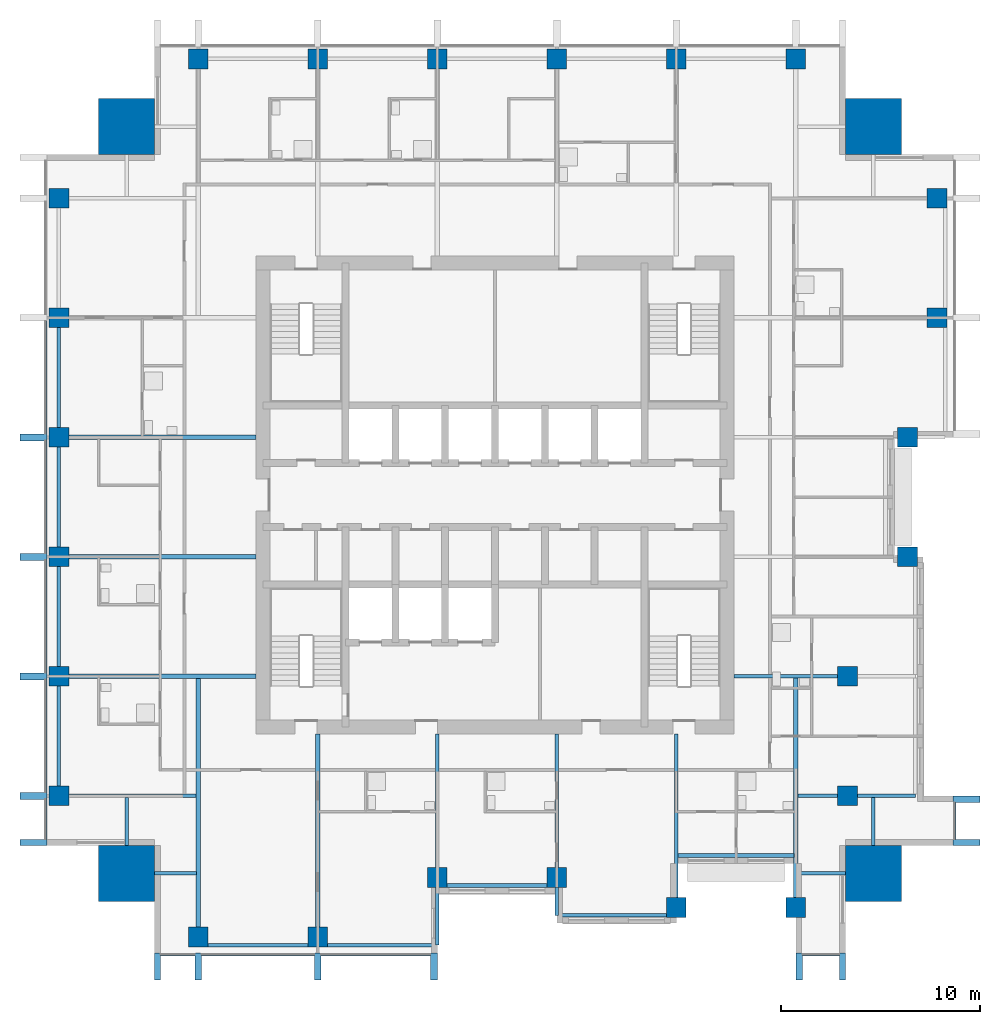
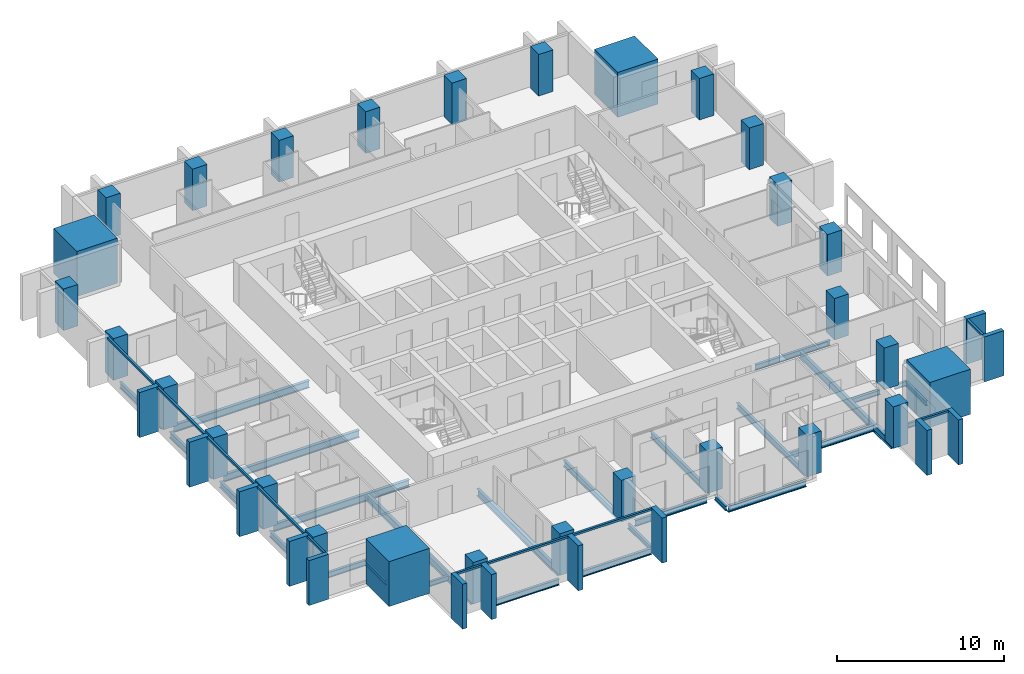
# One storey, part 1 of 11: 28 beams, 28 columns, 23 members, 4 elements without a shape of their own.
"""IFC4 building model written with IfcOpenShell, lengths in metres."""

from ifc_helpers import new_model, si_unit, direction, frame, origin, origin_2d, place, context, subcontext, project, spatial, rectangle, i_section, extrude, material, material_profile, profile_set, type_object, element, aggregate, save


model = new_model("IFC4")

# Units and contexts
model_context = context("Model", 3, precision=1e-05, world=origin(), true_north=direction((0.0, 1.0)))
body_context = subcontext(model_context, "Body", "Model", "MODEL_VIEW")
ifc_project = project(units=[si_unit("LENGTHUNIT", "METRE"), si_unit("AREAUNIT", "SQUARE_METRE"), si_unit("VOLUMEUNIT", "CUBIC_METRE"), si_unit("PLANEANGLEUNIT", "RADIAN"), si_unit("MASSUNIT", "GRAM", prefix="KILO")], contexts=[model_context])

# Site, building, storey
site_placement = place(None, origin())
site = spatial("IfcSite", under=ifc_project, at=site_placement, CompositionType="ELEMENT")
building_placement = place(site_placement, origin())
building = spatial("IfcBuilding", under=site, at=building_placement, Name="Amberfall Residences", CompositionType="ELEMENT")
storey_placement = place(building_placement, frame((0.0, 0.0, 171.39990234375)))
storey = spatial("IfcBuildingStorey", under=building, at=storey_placement, Name="L46", CompositionType="ELEMENT", Elevation=171.39990234375)

# Columns
ifc_material_1 = material(Name="Concrete C60", Category="concrete")
ifc_material_profile_1 = material_profile(ifc_material_1, rectangle(XDim=1.0, YDim=1.0, at=origin_2d()), Name="Column 1000 x 1000 C60")
ifc_profile_set_1 = profile_set([ifc_material_profile_1], Name="Concrete C60")
column_type_1 = type_object("IfcColumnType", Name="Column 1000 x 1000 C60", PredefinedType="COLUMN", material=ifc_profile_set_1)
for number, where, z_axis, x_axis, name in (
    (1, (59.60009765625, 23.300048828125, 0.0), (0.0, 0.0, 1.0), (1.0, 0.0, 0.0), "Column C3 L46 S1"),
    (2, (65.60009765625, 23.300048828125, 0.0), (0.0, 0.0, 1.0), (1.0, 0.0, 0.0), "Column C3 L46 S2"),
    (3, (71.60009765625, 26.300048828125, 0.0), (0.0, 0.0, 1.0), (1.0, 0.0, 0.0), "Column C3 L46 S3"),
    (4, (77.60009765625, 26.300048828125, 0.0), (0.0, 0.0, 1.0), (1.0, 0.0, 0.0), "Column C3 L46 S4"),
    (5, (83.60009765625, 24.800048828125, 0.0), (0.0, 0.0, 1.0), (1.0, 0.0, 0.0), "Column C3 L46 S5"),
    (6, (89.60009765625, 24.800048828125, 0.0), (0.0, 0.0, 1.0), (1.0, 0.0, 0.0), "Column C3 L46 S6"),
    (7, (92.199951171875, 30.39990234375, 0.0), (0.0, 0.0, 1.0), (1.0, 0.0, 0.0), "Column C3 L46 E1"),
    (8, (92.199951171875, 36.39990234375, 0.0), (0.0, 0.0, 1.0), (1.0, 0.0, 0.0), "Column C3 L46 E2"),
    (9, (95.199951171875, 42.39990234375, 0.0), (0.0, 0.0, 1.0), (1.0, 0.0, 0.0), "Column C3 L46 E3"),
    (10, (95.199951171875, 48.39990234375, 0.0), (0.0, 0.0, 1.0), (1.0, 0.0, 0.0), "Column C3 L46 E4"),
    (11, (96.699951171875, 54.39990234375, 0.0), (0.0, 0.0, 1.0), (1.0, 0.0, 0.0), "Column C3 L46 E5"),
    (12, (96.699951171875, 60.39990234375, 0.0), (0.0, 0.0, 1.0), (1.0, 0.0, 0.0), "Column C3 L46 E6"),
    (13, (59.60009765625, 67.39990234375, 0.0), (0.0, 0.0, 1.0), (1.0, 0.0, 0.0), "Column C3 L46 N1"),
    (14, (65.60009765625, 67.39990234375, 0.0), (0.0, 0.0, 1.0), (1.0, 0.0, 0.0), "Column C3 L46 N2"),
    (15, (71.60009765625, 67.39990234375, 0.0), (0.0, 0.0, 1.0), (1.0, 0.0, 0.0), "Column C3 L46 N3"),
    (16, (77.60009765625, 67.39990234375, 0.0), (0.0, 0.0, 1.0), (1.0, 0.0, 0.0), "Column C3 L46 N4"),
    (17, (83.60009765625, 67.39990234375, 0.0), (0.0, 0.0, 1.0), (1.0, 0.0, 0.0), "Column C3 L46 N5"),
    (18, (89.60009765625, 67.39990234375, 0.0), (0.0, 0.0, 1.0), (1.0, 0.0, 0.0), "Column C3 L46 N6"),
    (19, (52.60009765625, 30.39990234375, 0.0), (0.0, 0.0, 1.0), (1.0, 0.0, 0.0), "Column C3 L46 W1"),
    (20, (52.60009765625, 36.39990234375, 0.0), (0.0, 0.0, 1.0), (1.0, 0.0, 0.0), "Column C3 L46 W2"),
    (21, (52.60009765625, 42.39990234375, 0.0), (0.0, 0.0, 1.0), (1.0, 0.0, 0.0), "Column C3 L46 W3"),
    (22, (52.60009765625, 48.39990234375, 0.0), (0.0, 0.0, 1.0), (1.0, 0.0, 0.0), "Column C3 L46 W4"),
    (23, (52.60009765625, 54.39990234375, 0.0), (0.0, 0.0, 1.0), (1.0, 0.0, 0.0), "Column C3 L46 W5"),
    (24, (52.60009765625, 60.39990234375, 0.0), (0.0, 0.0, 1.0), (1.0, 0.0, 0.0), "Column C3 L46 W6"),
):
    element("IfcColumn", number, at=place(storey_placement, frame(where, z_axis=z_axis, x_axis=x_axis)), inside=storey, type_object=column_type_1, Name=name, PredefinedType="COLUMN", context=body_context, shape_type="SweptSolid", body=[
        extrude(rectangle(XDim=1.0, YDim=1.0, at=origin_2d()), origin(), (0.0, 0.0, 1.0), 3.050048828125),
    ])
ifc_material_profile_2 = material_profile(ifc_material_1, rectangle(XDim=2.800048828125, YDim=2.800048828125, at=origin_2d()), Name="Mega column 2800 x 2800 C60")
ifc_profile_set_2 = profile_set([ifc_material_profile_2], Name="Concrete C60")
column_type_2 = type_object("IfcColumnType", Name="Mega column 2800 x 2800 C60", PredefinedType="COLUMN", material=ifc_profile_set_2)
for number, where, z_axis, x_axis, name in (
    (25, (56.0, 26.5, 0.0), (0.0, 0.0, 1.0), (1.0, 0.0, 0.0), "Mega column MC5 L46 SW"),
    (26, (93.5, 26.5, 0.0), (0.0, 0.0, 1.0), (1.0, 0.0, 0.0), "Mega column MC5 L46 SE"),
    (27, (93.5, 64.0, 0.0), (0.0, 0.0, 1.0), (1.0, 0.0, 0.0), "Mega column MC5 L46 NE"),
    (28, (56.0, 64.0, 0.0), (0.0, 0.0, 1.0), (1.0, 0.0, 0.0), "Mega column MC5 L46 NW"),
):
    element("IfcColumn", number, at=place(storey_placement, frame(where, z_axis=z_axis, x_axis=x_axis)), inside=storey, type_object=column_type_2, Name=name, PredefinedType="COLUMN", context=body_context, shape_type="SweptSolid", body=[
        extrude(rectangle(XDim=2.800048828125, YDim=2.800048828125, at=origin_2d()), origin(), (0.0, 0.0, 1.0), 3.300048828125),
    ])

# Curtain wall, members
ifc_material_2 = material(Name="Bronze anodised aluminium and glass", Category="aluminium")
curtain_wall_type = type_object("IfcCurtainWallType", Name="Curtain wall CW1 tower unit", PredefinedType="USERDEFINED", material=ifc_material_2)
curtain_wall_1_placement = place(storey_placement, origin())
curtain_wall_1 = element("IfcCurtainWall", 29, at=curtain_wall_1_placement, inside=storey, type_object=curtain_wall_type, Name="Curtain wall L46 S S1", ObjectType="UNITISED CURTAIN WALL", PredefinedType="USERDEFINED")
ifc_material_3 = material(Name="Bronze anodised aluminium", Category="aluminium")
ifc_material_profile_3 = material_profile(ifc_material_3, rectangle(XDim=0.14990234375, YDim=0.14990234375, at=origin_2d()), Name="CW1 transom 150 x 150 bronze")
ifc_profile_set_3 = profile_set([ifc_material_profile_3], Name="Bronze anodised aluminium")
member_type_1 = type_object("IfcMemberType", Name="CW1 transom 150 x 150 bronze", PredefinedType="USERDEFINED", material=ifc_profile_set_3)
member_1_placement = place(storey_placement, frame((57.699951171875, 22.425048828125, 2.97509765625), z_axis=(1.0, 0.0, 0.0), x_axis=(0.0, 1.0, 0.0)))
member_1 = element("IfcMember", 30, at=member_1_placement, type_object=member_type_1, Name="CW1 transom 1.1", ObjectType="TRANSOM", PredefinedType="USERDEFINED", context=body_context, shape_type="SweptSolid", body=[
    extrude(rectangle(XDim=0.14990234375, YDim=0.14990234375, at=origin_2d()), origin(), (0.0, 0.0, 1.0), 1.72509765625),
])
member_2_placement = place(storey_placement, frame((59.77490234375, 22.425048828125, 2.97509765625), z_axis=(1.0, 0.0, 0.0), x_axis=(0.0, 1.0, 0.0)))
member_2 = element("IfcMember", 31, at=member_2_placement, type_object=member_type_1, Name="CW1 transom 2.1", ObjectType="TRANSOM", PredefinedType="USERDEFINED", context=body_context, shape_type="SweptSolid", body=[
    extrude(rectangle(XDim=0.14990234375, YDim=0.14990234375, at=origin_2d()), origin(), (0.0, 0.0, 1.0), 5.650146484375),
])
member_3_placement = place(storey_placement, frame((65.77490234375, 22.425048828125, 2.97509765625), z_axis=(1.0, 0.0, 0.0), x_axis=(0.0, 1.0, 0.0)))
member_3 = element("IfcMember", 32, at=member_3_placement, type_object=member_type_1, Name="CW1 transom 3.1", ObjectType="TRANSOM", PredefinedType="USERDEFINED", context=body_context, shape_type="SweptSolid", body=[
    extrude(rectangle(XDim=0.14990234375, YDim=0.14990234375, at=origin_2d()), origin(), (0.0, 0.0, 1.0), 5.47509765625),
])

# Curtain wall, member
curtain_wall_2_placement = place(storey_placement, origin())
curtain_wall_2 = element("IfcCurtainWall", 33, at=curtain_wall_2_placement, inside=storey, type_object=curtain_wall_type, Name="Curtain wall L46 S S9", ObjectType="UNITISED CURTAIN WALL", PredefinedType="USERDEFINED")
member_4_placement = place(storey_placement, frame((89.949951171875, 22.425048828125, 2.97509765625), z_axis=(1.0, 0.0, 0.0), x_axis=(0.0, 1.0, 0.0)))
member_4 = element("IfcMember", 34, at=member_4_placement, type_object=member_type_1, Name="CW1 transom 1.1", ObjectType="TRANSOM", PredefinedType="USERDEFINED", context=body_context, shape_type="SweptSolid", body=[
    extrude(rectangle(XDim=0.14990234375, YDim=0.14990234375, at=origin_2d()), origin(), (0.0, 0.0, 1.0), 1.85009765625),
])

curtain_wall_3_placement = place(storey_placement, origin())
curtain_wall_3 = element("IfcCurtainWall", 35, at=curtain_wall_3_placement, inside=storey, type_object=curtain_wall_type, Name="Curtain wall L46 E E1", ObjectType="UNITISED CURTAIN WALL", PredefinedType="USERDEFINED")
member_5_placement = place(storey_placement, frame((97.574951171875, 28.199951171875, 2.97509765625), z_axis=(0.0, 1.0, 0.0), x_axis=(-1.0, 0.0, 0.0)))
member_5 = element("IfcMember", 36, at=member_5_placement, type_object=member_type_1, Name="CW1 transom 1.1", ObjectType="TRANSOM", PredefinedType="USERDEFINED", context=body_context, shape_type="SweptSolid", body=[
    extrude(rectangle(XDim=0.14990234375, YDim=0.14990234375, at=origin_2d()), origin(), (0.0, 0.0, 1.0), 1.85009765625),
])

# Curtain wall, members
curtain_wall_4_placement = place(storey_placement, origin())
curtain_wall_4 = element("IfcCurtainWall", 37, at=curtain_wall_4_placement, inside=storey, type_object=curtain_wall_type, Name="Curtain wall L46 W W1", ObjectType="UNITISED CURTAIN WALL", PredefinedType="USERDEFINED")
member_6_placement = place(storey_placement, frame((51.925048828125, 54.22509765625, 2.97509765625), z_axis=(0.0, -1.0, 0.0), x_axis=(1.0, 0.0, 0.0)))
member_6 = element("IfcMember", 38, at=member_6_placement, type_object=member_type_1, Name="CW1 transom 3.1", ObjectType="TRANSOM", PredefinedType="USERDEFINED", context=body_context, shape_type="SweptSolid", body=[
    extrude(rectangle(XDim=0.14990234375, YDim=0.14990234375, at=origin_2d()), origin(), (0.0, 0.0, 1.0), 5.650146484375),
])
member_7_placement = place(storey_placement, frame((51.925048828125, 48.22509765625, 2.97509765625), z_axis=(0.0, -1.0, 0.0), x_axis=(1.0, 0.0, 0.0)))
member_7 = element("IfcMember", 39, at=member_7_placement, type_object=member_type_1, Name="CW1 transom 4.1", ObjectType="TRANSOM", PredefinedType="USERDEFINED", context=body_context, shape_type="SweptSolid", body=[
    extrude(rectangle(XDim=0.14990234375, YDim=0.14990234375, at=origin_2d()), origin(), (0.0, 0.0, 1.0), 5.650146484375),
])
member_8_placement = place(storey_placement, frame((51.925048828125, 42.22509765625, 2.97509765625), z_axis=(0.0, -1.0, 0.0), x_axis=(1.0, 0.0, 0.0)))
member_8 = element("IfcMember", 40, at=member_8_placement, type_object=member_type_1, Name="CW1 transom 5.1", ObjectType="TRANSOM", PredefinedType="USERDEFINED", context=body_context, shape_type="SweptSolid", body=[
    extrude(rectangle(XDim=0.14990234375, YDim=0.14990234375, at=origin_2d()), origin(), (0.0, 0.0, 1.0), 5.650146484375),
])
member_9_placement = place(storey_placement, frame((51.925048828125, 36.22509765625, 2.97509765625), z_axis=(0.0, -1.0, 0.0), x_axis=(1.0, 0.0, 0.0)))
member_9 = element("IfcMember", 41, at=member_9_placement, type_object=member_type_1, Name="CW1 transom 6.1", ObjectType="TRANSOM", PredefinedType="USERDEFINED", context=body_context, shape_type="SweptSolid", body=[
    extrude(rectangle(XDim=0.14990234375, YDim=0.14990234375, at=origin_2d()), origin(), (0.0, 0.0, 1.0), 5.650146484375),
])
member_10_placement = place(storey_placement, frame((51.925048828125, 30.22509765625, 2.97509765625), z_axis=(0.0, -1.0, 0.0), x_axis=(1.0, 0.0, 0.0)))
member_10 = element("IfcMember", 42, at=member_10_placement, type_object=member_type_1, Name="CW1 transom 7.1", ObjectType="TRANSOM", PredefinedType="USERDEFINED", context=body_context, shape_type="SweptSolid", body=[
    extrude(rectangle(XDim=0.14990234375, YDim=0.14990234375, at=origin_2d()), origin(), (0.0, 0.0, 1.0), 2.025146484375),
])

# Beams
ifc_material_4 = material(Name="Steel S355", Category="steel")
ifc_material_profile_4 = material_profile(ifc_material_4, i_section(OverallWidth=0.171142578125, OverallDepth=0.351318359375, WebThickness=0.007080078125, FlangeThickness=0.009765625, FilletRadius=0.01025390625, at=origin_2d()), Name="UB 356x171x45")
ifc_profile_set_4 = profile_set([ifc_material_profile_4], Name="Steel S355")
beam_type_1 = type_object("IfcBeamType", Name="Cantilever girder UB 356x171x45", PredefinedType="BEAM", material=ifc_profile_set_4)
beam_1_placement = place(storey_placement, frame((71.60009765625, 25.800048828125, -0.425537109375), z_axis=(0.0, -1.0, 0.0), x_axis=(1.0, 0.0, 0.0)))
element("IfcBeam", 43, at=beam_1_placement, inside=storey, type_object=beam_type_1, Name="Cantilever girder B8 L46 06", PredefinedType="BEAM", context=body_context, shape_type="SweptSolid", body=[
    extrude(i_section(OverallWidth=0.171142578125, OverallDepth=0.351318359375, WebThickness=0.007080078125, FlangeThickness=0.009765625, FilletRadius=0.01025390625, at=origin_2d()), origin(), (0.0, 0.0, 1.0), 2.900146484375),
])
beam_2_placement = place(storey_placement, frame((77.60009765625, 25.800048828125, -0.425537109375), z_axis=(0.0, -1.0, 0.0), x_axis=(1.0, 0.0, 0.0)))
element("IfcBeam", 44, at=beam_2_placement, inside=storey, type_object=beam_type_1, Name="Cantilever girder B8 L46 07", PredefinedType="BEAM", context=body_context, shape_type="SweptSolid", body=[
    extrude(i_section(OverallWidth=0.171142578125, OverallDepth=0.351318359375, WebThickness=0.007080078125, FlangeThickness=0.009765625, FilletRadius=0.01025390625, at=origin_2d()), origin(), (0.0, 0.0, 1.0), 1.400146484375),
])
beam_3_placement = place(storey_placement, frame((92.699951171875, 30.39990234375, -0.425537109375), z_axis=(1.0, 0.0, 0.0), x_axis=(0.0, 1.0, 0.0)))
element("IfcBeam", 45, at=beam_3_placement, inside=storey, type_object=beam_type_1, Name="Cantilever girder B8 L46 19", PredefinedType="BEAM", context=body_context, shape_type="SweptSolid", body=[
    extrude(i_section(OverallWidth=0.171142578125, OverallDepth=0.351318359375, WebThickness=0.007080078125, FlangeThickness=0.009765625, FilletRadius=0.01025390625, at=origin_2d()), origin(), (0.0, 0.0, 1.0), 2.900146484375),
])

# Member
ifc_material_profile_5 = material_profile(ifc_material_3, rectangle(XDim=1.35009765625, YDim=0.300048828125, at=origin_2d()), Name="Corner fin 300 x 1350 bronze")
ifc_profile_set_5 = profile_set([ifc_material_profile_5], Name="Bronze anodised aluminium")
member_type_2 = type_object("IfcMemberType", Name="Corner fin 300 x 1350 bronze", PredefinedType="MULLION", material=ifc_profile_set_5)
member_11_placement = place(storey_placement, frame((57.550048828125, 21.824951171875, -0.25), z_axis=(0.0, 0.0, 1.0), x_axis=(0.0, 1.0, 0.0)))
member_11 = element("IfcMember", 46, at=member_11_placement, type_object=member_type_2, Name="CW FIN 1", PredefinedType="MULLION", context=body_context, shape_type="SweptSolid", body=[
    extrude(rectangle(XDim=1.35009765625, YDim=0.300048828125, at=origin_2d()), origin(), (0.0, 0.0, 1.0), 3.300048828125),
])

member_12_placement = place(storey_placement, frame((91.949951171875, 21.824951171875, -0.25), z_axis=(0.0, 0.0, 1.0), x_axis=(0.0, 1.0, 0.0)))
member_12 = element("IfcMember", 47, at=member_12_placement, type_object=member_type_2, Name="CW FIN 2", PredefinedType="MULLION", context=body_context, shape_type="SweptSolid", body=[
    extrude(rectangle(XDim=1.35009765625, YDim=0.300048828125, at=origin_2d()), origin(), (0.0, 0.0, 1.0), 3.300048828125),
])

member_13_placement = place(storey_placement, frame((98.175048828125, 28.050048828125, -0.25), z_axis=(0.0, 0.0, 1.0), x_axis=(-1.0, 0.0, 0.0)))
member_13 = element("IfcMember", 48, at=member_13_placement, type_object=member_type_2, Name="CW FIN 1", PredefinedType="MULLION", context=body_context, shape_type="SweptSolid", body=[
    extrude(rectangle(XDim=1.35009765625, YDim=0.300048828125, at=origin_2d()), origin(), (0.0, 0.0, 1.0), 3.300048828125),
])

member_14_placement = place(storey_placement, frame((51.324951171875, 28.050048828125, -0.25), z_axis=(0.0, 0.0, 1.0), x_axis=(1.0, 0.0, 0.0)))
member_14 = element("IfcMember", 49, at=member_14_placement, type_object=member_type_2, Name="CW FIN 8", PredefinedType="MULLION", context=body_context, shape_type="SweptSolid", body=[
    extrude(rectangle(XDim=1.35009765625, YDim=0.300048828125, at=origin_2d()), origin(), (0.0, 0.0, 1.0), 3.300048828125),
])

# Beams
ifc_material_profile_6 = material_profile(ifc_material_4, i_section(OverallWidth=0.18994140625, OverallDepth=0.453369140625, WebThickness=0.008544921875, FlangeThickness=0.0126953125, FilletRadius=0.01025390625, at=origin_2d()), Name="UB 457x191x67")
ifc_profile_set_6 = profile_set([ifc_material_profile_6], Name="Steel S355")
beam_type_2 = type_object("IfcBeamType", Name="Edge beam UB 457x191x67", PredefinedType="SPANDREL", material=ifc_profile_set_6)
beam_4_placement = place(storey_placement, frame((60.10009765625, 22.89990234375, -0.4765625), z_axis=(1.0, 0.0, 0.0), x_axis=(0.0, 1.0, 0.0)))
element("IfcBeam", 50, at=beam_4_placement, inside=storey, type_object=beam_type_2, Name="Edge beam B1 L46 01", PredefinedType="SPANDREL", context=body_context, shape_type="SweptSolid", body=[
    extrude(i_section(OverallWidth=0.18994140625, OverallDepth=0.453369140625, WebThickness=0.008544921875, FlangeThickness=0.0126953125, FilletRadius=0.01025390625, at=origin_2d()), origin(), (0.0, 0.0, 1.0), 5.0),
])
beam_5_placement = place(storey_placement, frame((66.10009765625, 22.89990234375, -0.4765625), z_axis=(1.0, 0.0, 0.0), x_axis=(0.0, 1.0, 0.0)))
element("IfcBeam", 51, at=beam_5_placement, inside=storey, type_object=beam_type_2, Name="Edge beam B1 L46 02", PredefinedType="SPANDREL", context=body_context, shape_type="SweptSolid", body=[
    extrude(i_section(OverallWidth=0.18994140625, OverallDepth=0.453369140625, WebThickness=0.008544921875, FlangeThickness=0.0126953125, FilletRadius=0.01025390625, at=origin_2d()), origin(), (0.0, 0.0, 1.0), 5.419921875),
])
beam_6_placement = place(storey_placement, frame((72.10009765625, 25.89990234375, -0.4765625), z_axis=(1.0, 0.0, 0.0), x_axis=(0.0, 1.0, 0.0)))
element("IfcBeam", 52, at=beam_6_placement, inside=storey, type_object=beam_type_2, Name="Edge beam B1 L46 03", PredefinedType="SPANDREL", context=body_context, shape_type="SweptSolid", body=[
    extrude(i_section(OverallWidth=0.18994140625, OverallDepth=0.453369140625, WebThickness=0.008544921875, FlangeThickness=0.0126953125, FilletRadius=0.01025390625, at=origin_2d()), origin(), (0.0, 0.0, 1.0), 5.0),
])
beam_7_placement = place(storey_placement, frame((77.679931640625, 24.39990234375, -0.4765625), z_axis=(1.0, 0.0, 0.0), x_axis=(0.0, 1.0, 0.0)))
element("IfcBeam", 53, at=beam_7_placement, inside=storey, type_object=beam_type_2, Name="Edge beam B1 L46 04", PredefinedType="SPANDREL", context=body_context, shape_type="SweptSolid", body=[
    extrude(i_section(OverallWidth=0.18994140625, OverallDepth=0.453369140625, WebThickness=0.008544921875, FlangeThickness=0.0126953125, FilletRadius=0.01025390625, at=origin_2d()), origin(), (0.0, 0.0, 1.0), 5.420166015625),
])
beam_8_placement = place(storey_placement, frame((83.679931640625, 27.39990234375, -0.4765625), z_axis=(1.0, 0.0, 0.0), x_axis=(0.0, 1.0, 0.0)))
element("IfcBeam", 54, at=beam_8_placement, inside=storey, type_object=beam_type_2, Name="Edge beam B1 L46 05", PredefinedType="SPANDREL", context=body_context, shape_type="SweptSolid", body=[
    extrude(i_section(OverallWidth=0.18994140625, OverallDepth=0.453369140625, WebThickness=0.008544921875, FlangeThickness=0.0126953125, FilletRadius=0.01025390625, at=origin_2d()), origin(), (0.0, 0.0, 1.0), 5.840087890625),
])
for number, where, z_axis, x_axis, name in (
    (55, (52.60009765625, 30.89990234375, -0.4765625), (0.0, 1.0, 0.0), (-1.0, 0.0, 0.0), "Edge beam B1 L46 39"),
    (56, (52.60009765625, 36.89990234375, -0.4765625), (0.0, 1.0, 0.0), (-1.0, 0.0, 0.0), "Edge beam B1 L46 40"),
    (57, (52.60009765625, 42.89990234375, -0.4765625), (0.0, 1.0, 0.0), (-1.0, 0.0, 0.0), "Edge beam B1 L46 41"),
    (58, (52.60009765625, 48.89990234375, -0.4765625), (0.0, 1.0, 0.0), (-1.0, 0.0, 0.0), "Edge beam B1 L46 42"),
):
    element("IfcBeam", number, at=place(storey_placement, frame(where, z_axis=z_axis, x_axis=x_axis)), inside=storey, type_object=beam_type_2, Name=name, PredefinedType="SPANDREL", context=body_context, shape_type="SweptSolid", body=[
        extrude(i_section(OverallWidth=0.18994140625, OverallDepth=0.453369140625, WebThickness=0.008544921875, FlangeThickness=0.0126953125, FilletRadius=0.01025390625, at=origin_2d()), origin(), (0.0, 0.0, 1.0), 5.0),
    ])

# Member
ifc_material_profile_7 = material_profile(ifc_material_3, rectangle(XDim=1.35009765625, YDim=0.35009765625, at=origin_2d()), Name="Fin 350 x 1350 bronze")
ifc_profile_set_7 = profile_set([ifc_material_profile_7], Name="Bronze anodised aluminium")
member_type_3 = type_object("IfcMemberType", Name="Fin 350 x 1350 bronze", PredefinedType="MULLION", material=ifc_profile_set_7)
member_15_placement = place(storey_placement, frame((59.60009765625, 21.824951171875, -0.25), z_axis=(0.0, 0.0, 1.0), x_axis=(0.0, 1.0, 0.0)))
member_15 = element("IfcMember", 59, at=member_15_placement, type_object=member_type_3, Name="CW FIN 2", PredefinedType="MULLION", context=body_context, shape_type="SweptSolid", body=[
    extrude(rectangle(XDim=1.35009765625, YDim=0.35009765625, at=origin_2d()), origin(), (0.0, 0.0, 1.0), 3.300048828125),
])

member_16_placement = place(storey_placement, frame((65.60009765625, 21.824951171875, -0.25), z_axis=(0.0, 0.0, 1.0), x_axis=(0.0, 1.0, 0.0)))
member_16 = element("IfcMember", 60, at=member_16_placement, type_object=member_type_3, Name="CW FIN 3", PredefinedType="MULLION", context=body_context, shape_type="SweptSolid", body=[
    extrude(rectangle(XDim=1.35009765625, YDim=0.35009765625, at=origin_2d()), origin(), (0.0, 0.0, 1.0), 3.300048828125),
])

member_17_placement = place(storey_placement, frame((71.425048828125, 21.824951171875, -0.25), z_axis=(0.0, 0.0, 1.0), x_axis=(0.0, 1.0, 0.0)))
member_17 = element("IfcMember", 61, at=member_17_placement, type_object=member_type_3, Name="CW FIN 4", PredefinedType="MULLION", context=body_context, shape_type="SweptSolid", body=[
    extrude(rectangle(XDim=1.35009765625, YDim=0.35009765625, at=origin_2d()), origin(), (0.0, 0.0, 1.0), 3.300048828125),
])

aggregate(curtain_wall_1, [member_11, member_15, member_16, member_17, member_1, member_2, member_3])

member_18_placement = place(storey_placement, frame((89.77490234375, 21.824951171875, -0.25), z_axis=(0.0, 0.0, 1.0), x_axis=(0.0, 1.0, 0.0)))
member_18 = element("IfcMember", 62, at=member_18_placement, type_object=member_type_3, Name="CW FIN 1", PredefinedType="MULLION", context=body_context, shape_type="SweptSolid", body=[
    extrude(rectangle(XDim=1.35009765625, YDim=0.35009765625, at=origin_2d()), origin(), (0.0, 0.0, 1.0), 3.300048828125),
])

aggregate(curtain_wall_2, [member_18, member_12, member_4])

member_19_placement = place(storey_placement, frame((98.175048828125, 30.22509765625, -0.25), z_axis=(0.0, 0.0, 1.0), x_axis=(-1.0, 0.0, 0.0)))
member_19 = element("IfcMember", 63, at=member_19_placement, type_object=member_type_3, Name="CW FIN 2", PredefinedType="MULLION", context=body_context, shape_type="SweptSolid", body=[
    extrude(rectangle(XDim=1.35009765625, YDim=0.35009765625, at=origin_2d()), origin(), (0.0, 0.0, 1.0), 3.300048828125),
])

aggregate(curtain_wall_3, [member_13, member_19, member_5])

member_20_placement = place(storey_placement, frame((51.324951171875, 48.39990234375, -0.25), z_axis=(0.0, 0.0, 1.0), x_axis=(1.0, 0.0, 0.0)))
member_20 = element("IfcMember", 64, at=member_20_placement, type_object=member_type_3, Name="CW FIN 4", PredefinedType="MULLION", context=body_context, shape_type="SweptSolid", body=[
    extrude(rectangle(XDim=1.35009765625, YDim=0.35009765625, at=origin_2d()), origin(), (0.0, 0.0, 1.0), 3.300048828125),
])

member_21_placement = place(storey_placement, frame((51.324951171875, 42.39990234375, -0.25), z_axis=(0.0, 0.0, 1.0), x_axis=(1.0, 0.0, 0.0)))
member_21 = element("IfcMember", 65, at=member_21_placement, type_object=member_type_3, Name="CW FIN 5", PredefinedType="MULLION", context=body_context, shape_type="SweptSolid", body=[
    extrude(rectangle(XDim=1.35009765625, YDim=0.35009765625, at=origin_2d()), origin(), (0.0, 0.0, 1.0), 3.300048828125),
])

member_22_placement = place(storey_placement, frame((51.324951171875, 36.39990234375, -0.25), z_axis=(0.0, 0.0, 1.0), x_axis=(1.0, 0.0, 0.0)))
member_22 = element("IfcMember", 66, at=member_22_placement, type_object=member_type_3, Name="CW FIN 6", PredefinedType="MULLION", context=body_context, shape_type="SweptSolid", body=[
    extrude(rectangle(XDim=1.35009765625, YDim=0.35009765625, at=origin_2d()), origin(), (0.0, 0.0, 1.0), 3.300048828125),
])

member_23_placement = place(storey_placement, frame((51.324951171875, 30.39990234375, -0.25), z_axis=(0.0, 0.0, 1.0), x_axis=(1.0, 0.0, 0.0)))
member_23 = element("IfcMember", 67, at=member_23_placement, type_object=member_type_3, Name="CW FIN 7", PredefinedType="MULLION", context=body_context, shape_type="SweptSolid", body=[
    extrude(rectangle(XDim=1.35009765625, YDim=0.35009765625, at=origin_2d()), origin(), (0.0, 0.0, 1.0), 3.300048828125),
])

aggregate(curtain_wall_4, [member_20, member_21, member_22, member_23, member_14, member_6, member_7, member_8, member_9, member_10])

# Beams
ifc_material_profile_8 = material_profile(ifc_material_4, i_section(OverallWidth=0.171142578125, OverallDepth=0.351318359375, WebThickness=0.007080078125, FlangeThickness=0.009765625, FilletRadius=0.01025390625, at=origin_2d()), Name="UB 356x171x45")
ifc_profile_set_8 = profile_set([ifc_material_profile_8], Name="Steel S355")
beam_type_3 = type_object("IfcBeamType", Name="Floor girder UB 356x171x45", PredefinedType="BEAM", material=ifc_profile_set_8)
beam_9_placement = place(storey_placement, frame((91.699951171875, 30.39990234375, -0.425537109375), z_axis=(-1.0, 0.0, 0.0), x_axis=(0.0, -1.0, 0.0)))
element("IfcBeam", 68, at=beam_9_placement, inside=storey, type_object=beam_type_3, Name="Floor girder B11 L46 22", PredefinedType="BEAM", context=body_context, shape_type="SweptSolid", body=[
    extrude(i_section(OverallWidth=0.171142578125, OverallDepth=0.351318359375, WebThickness=0.007080078125, FlangeThickness=0.009765625, FilletRadius=0.01025390625, at=origin_2d()), origin(), (0.0, 0.0, 1.0), 1.97998046875),
])
ifc_material_profile_9 = material_profile(ifc_material_4, i_section(OverallWidth=0.177734375, OverallDepth=0.402587890625, WebThickness=0.0078125, FlangeThickness=0.010986328125, FilletRadius=0.01025390625, at=origin_2d()), Name="UB 406x178x54")
ifc_profile_set_9 = profile_set([ifc_material_profile_9], Name="Steel S355")
beam_type_4 = type_object("IfcBeamType", Name="Floor girder UB 406x178x54", PredefinedType="BEAM", material=ifc_profile_set_9)
beam_10_placement = place(storey_placement, frame((91.699951171875, 36.39990234375, -0.451171875), z_axis=(-1.0, 0.0, 0.0), x_axis=(0.0, -1.0, 0.0)))
element("IfcBeam", 69, at=beam_10_placement, inside=storey, type_object=beam_type_4, Name="Floor girder B4 L46 23", PredefinedType="BEAM", context=body_context, shape_type="SweptSolid", body=[
    extrude(i_section(OverallWidth=0.177734375, OverallDepth=0.402587890625, WebThickness=0.0078125, FlangeThickness=0.010986328125, FilletRadius=0.01025390625, at=origin_2d()), origin(), (0.0, 0.0, 1.0), 5.199951171875),
])
beam_11_placement = place(storey_placement, frame((53.10009765625, 30.39990234375, -0.451171875), z_axis=(1.0, 0.0, 0.0), x_axis=(0.0, 1.0, 0.0)))
element("IfcBeam", 70, at=beam_11_placement, inside=storey, type_object=beam_type_4, Name="Floor girder B4 L46 44", PredefinedType="BEAM", context=body_context, shape_type="SweptSolid", body=[
    extrude(i_section(OverallWidth=0.177734375, OverallDepth=0.402587890625, WebThickness=0.0078125, FlangeThickness=0.010986328125, FilletRadius=0.01025390625, at=origin_2d()), origin(), (0.0, 0.0, 1.0), 6.3798828125),
])
ifc_material_profile_10 = material_profile(ifc_material_4, i_section(OverallWidth=0.19140625, OverallDepth=0.4599609375, WebThickness=0.010009765625, FlangeThickness=0.01611328125, FilletRadius=0.01025390625, at=origin_2d()), Name="UB 457x191x82")
ifc_profile_set_10 = profile_set([ifc_material_profile_10], Name="Steel S355")
beam_type_5 = type_object("IfcBeamType", Name="Floor girder UB 457x191x82", PredefinedType="BEAM", material=ifc_profile_set_10)
for number, where, z_axis, x_axis, name in (
    (71, (71.60009765625, 26.800048828125, -0.47998046875), (0.0, 1.0, 0.0), (-1.0, 0.0, 0.0), "Floor girder B10 L46 10"),
    (72, (77.60009765625, 26.800048828125, -0.47998046875), (0.0, 1.0, 0.0), (-1.0, 0.0, 0.0), "Floor girder B10 L46 11"),
):
    element("IfcBeam", number, at=place(storey_placement, frame(where, z_axis=z_axis, x_axis=x_axis)), inside=storey, type_object=beam_type_5, Name=name, PredefinedType="BEAM", context=body_context, shape_type="SweptSolid", body=[
        extrude(i_section(OverallWidth=0.19140625, OverallDepth=0.4599609375, WebThickness=0.010009765625, FlangeThickness=0.01611328125, FilletRadius=0.01025390625, at=origin_2d()), origin(), (0.0, 0.0, 1.0), 6.699951171875),
    ])
beam_12_placement = place(storey_placement, frame((83.60009765625, 25.300048828125, -0.47998046875), z_axis=(0.0, 1.0, 0.0), x_axis=(-1.0, 0.0, 0.0)))
element("IfcBeam", 73, at=beam_12_placement, inside=storey, type_object=beam_type_5, Name="Floor girder B10 L46 12", PredefinedType="BEAM", context=body_context, shape_type="SweptSolid", body=[
    extrude(i_section(OverallWidth=0.19140625, OverallDepth=0.4599609375, WebThickness=0.010009765625, FlangeThickness=0.01611328125, FilletRadius=0.01025390625, at=origin_2d()), origin(), (0.0, 0.0, 1.0), 8.199951171875),
])
ifc_material_profile_11 = material_profile(ifc_material_4, i_section(OverallWidth=0.210693359375, OverallDepth=0.53955078125, WebThickness=0.01171875, FlangeThickness=0.018798828125, FilletRadius=0.0126953125, at=origin_2d()), Name="UB 533x210x109")
ifc_profile_set_11 = profile_set([ifc_material_profile_11], Name="Steel S355")
beam_type_6 = type_object("IfcBeamType", Name="Floor girder UB 533x210x109", PredefinedType="BEAM", material=ifc_profile_set_11)
beam_13_placement = place(storey_placement, frame((59.60009765625, 23.800048828125, -0.51953125), z_axis=(0.0, 1.0, 0.0), x_axis=(-1.0, 0.0, 0.0)))
element("IfcBeam", 74, at=beam_13_placement, inside=storey, type_object=beam_type_6, Name="Floor girder B2 L46 08", PredefinedType="BEAM", context=body_context, shape_type="SweptSolid", body=[
    extrude(i_section(OverallWidth=0.210693359375, OverallDepth=0.53955078125, WebThickness=0.01171875, FlangeThickness=0.018798828125, FilletRadius=0.0126953125, at=origin_2d()), origin(), (0.0, 0.0, 1.0), 12.500244140625),
])
beam_14_placement = place(storey_placement, frame((89.60009765625, 25.300048828125, -0.51953125), z_axis=(0.0, 1.0, 0.0), x_axis=(-1.0, 0.0, 0.0)))
element("IfcBeam", 75, at=beam_14_placement, inside=storey, type_object=beam_type_6, Name="Floor girder B2 L46 13", PredefinedType="BEAM", context=body_context, shape_type="SweptSolid", body=[
    extrude(i_section(OverallWidth=0.210693359375, OverallDepth=0.53955078125, WebThickness=0.01171875, FlangeThickness=0.018798828125, FilletRadius=0.0126953125, at=origin_2d()), origin(), (0.0, 0.0, 1.0), 11.01611328125),
])
ifc_material_profile_12 = material_profile(ifc_material_4, i_section(OverallWidth=0.209228515625, OverallDepth=0.533203125, WebThickness=0.010009765625, FlangeThickness=0.015625, FilletRadius=0.0126953125, at=origin_2d()), Name="UB 533x210x92")
ifc_profile_set_12 = profile_set([ifc_material_profile_12], Name="Steel S355")
beam_type_7 = type_object("IfcBeamType", Name="Floor girder UB 533x210x92", PredefinedType="BEAM", material=ifc_profile_set_12)
beam_15_placement = place(storey_placement, frame((65.60009765625, 23.800048828125, -0.516357421875), z_axis=(0.0, 1.0, 0.0), x_axis=(-1.0, 0.0, 0.0)))
element("IfcBeam", 76, at=beam_15_placement, inside=storey, type_object=beam_type_7, Name="Floor girder B3 L46 09", PredefinedType="BEAM", context=body_context, shape_type="SweptSolid", body=[
    extrude(i_section(OverallWidth=0.209228515625, OverallDepth=0.533203125, WebThickness=0.010009765625, FlangeThickness=0.015625, FilletRadius=0.0126953125, at=origin_2d()), origin(), (0.0, 0.0, 1.0), 9.699951171875),
])
for number, where, z_axis, x_axis, name in (
    (77, (53.10009765625, 36.39990234375, -0.516357421875), (1.0, 0.0, 0.0), (0.0, 1.0, 0.0), "Floor girder B3 L46 45"),
    (78, (53.10009765625, 42.39990234375, -0.516357421875), (1.0, 0.0, 0.0), (0.0, 1.0, 0.0), "Floor girder B3 L46 46"),
    (79, (53.10009765625, 48.39990234375, -0.516357421875), (1.0, 0.0, 0.0), (0.0, 1.0, 0.0), "Floor girder B3 L46 47"),
):
    element("IfcBeam", number, at=place(storey_placement, frame(where, z_axis=z_axis, x_axis=x_axis)), inside=storey, type_object=beam_type_7, Name=name, PredefinedType="BEAM", context=body_context, shape_type="SweptSolid", body=[
        extrude(i_section(OverallWidth=0.209228515625, OverallDepth=0.533203125, WebThickness=0.010009765625, FlangeThickness=0.015625, FilletRadius=0.0126953125, at=origin_2d()), origin(), (0.0, 0.0, 1.0), 9.39990234375),
    ])
ifc_material_profile_13 = material_profile(ifc_material_4, i_section(OverallWidth=0.171142578125, OverallDepth=0.351318359375, WebThickness=0.007080078125, FlangeThickness=0.009765625, FilletRadius=0.01025390625, at=origin_2d()), Name="UB 356x171x45")
ifc_profile_set_13 = profile_set([ifc_material_profile_13], Name="Steel S355")
beam_type_8 = type_object("IfcBeamType", Name="Link beam UB 356x171x45", PredefinedType="BEAM", material=ifc_profile_set_13)
beam_16_placement = place(storey_placement, frame((57.39990234375, 26.5, -0.425537109375), z_axis=(1.0, 0.0, 0.0), x_axis=(0.0, 1.0, 0.0)))
element("IfcBeam", 80, at=beam_16_placement, inside=storey, type_object=beam_type_8, Name="Link beam B7 L46 50", PredefinedType="BEAM", context=body_context, shape_type="SweptSolid", body=[
    extrude(i_section(OverallWidth=0.171142578125, OverallDepth=0.351318359375, WebThickness=0.007080078125, FlangeThickness=0.009765625, FilletRadius=0.01025390625, at=origin_2d()), origin(), (0.0, 0.0, 1.0), 2.104736328125),
])
beam_17_placement = place(storey_placement, frame((56.0, 27.89990234375, -0.425537109375), z_axis=(0.0, 1.0, 0.0), x_axis=(-1.0, 0.0, 0.0)))
element("IfcBeam", 81, at=beam_17_placement, inside=storey, type_object=beam_type_8, Name="Link beam B7 L46 51", PredefinedType="BEAM", context=body_context, shape_type="SweptSolid", body=[
    extrude(i_section(OverallWidth=0.171142578125, OverallDepth=0.351318359375, WebThickness=0.007080078125, FlangeThickness=0.009765625, FilletRadius=0.01025390625, at=origin_2d()), origin(), (0.0, 0.0, 1.0), 2.42138671875),
])
beam_18_placement = place(storey_placement, frame((92.10009765625, 26.5, -0.425537109375), z_axis=(-1.0, 0.0, 0.0), x_axis=(0.0, -1.0, 0.0)))
element("IfcBeam", 82, at=beam_18_placement, inside=storey, type_object=beam_type_8, Name="Link beam B7 L46 52", PredefinedType="BEAM", context=body_context, shape_type="SweptSolid", body=[
    extrude(i_section(OverallWidth=0.171142578125, OverallDepth=0.351318359375, WebThickness=0.007080078125, FlangeThickness=0.009765625, FilletRadius=0.01025390625, at=origin_2d()), origin(), (0.0, 0.0, 1.0), 2.405517578125),
])
beam_19_placement = place(storey_placement, frame((93.5, 27.89990234375, -0.425537109375), z_axis=(0.0, 1.0, 0.0), x_axis=(-1.0, 0.0, 0.0)))
element("IfcBeam", 83, at=beam_19_placement, inside=storey, type_object=beam_type_8, Name="Link beam B7 L46 53", PredefinedType="BEAM", context=body_context, shape_type="SweptSolid", body=[
    extrude(i_section(OverallWidth=0.171142578125, OverallDepth=0.351318359375, WebThickness=0.007080078125, FlangeThickness=0.009765625, FilletRadius=0.01025390625, at=origin_2d()), origin(), (0.0, 0.0, 1.0), 2.424560546875),
])

save(model, "model.ifc")
